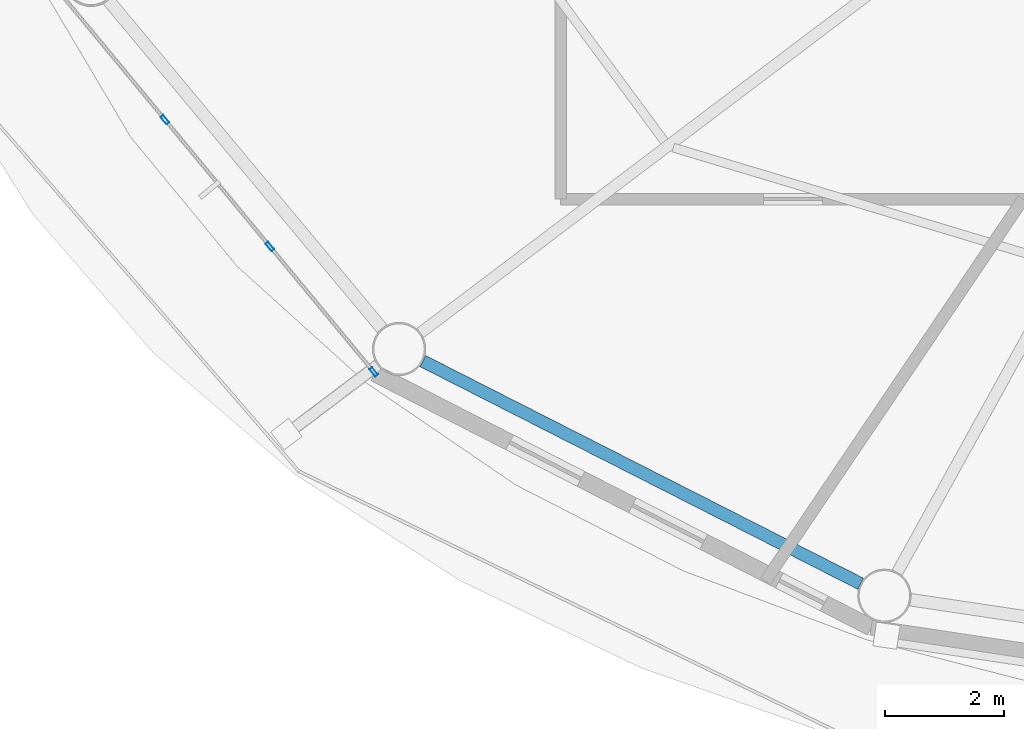
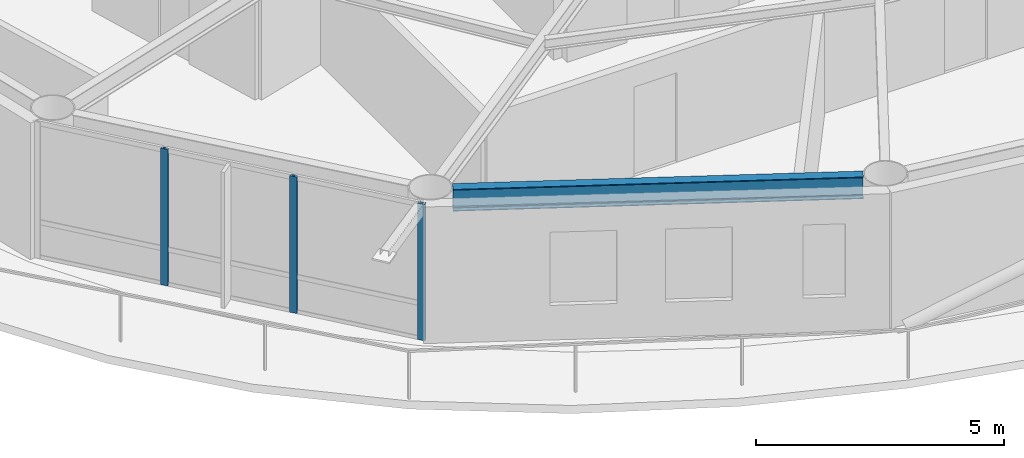
# One storey, part 2 of 23: 3 members, 1 beam, 1 element without a shape of its own.
"""IFC4 building model written with IfcOpenShell, lengths in metres."""

import ifcopenshell
import ifcopenshell.guid

model = None  # the IFC model being written
_history = None  # IfcOwnerHistory: only IFC2X3 demands one
_inside = {}  # id of a spatial element -> (the spatial element, [elements in it])
_under = {}  # id of a project, library or spatial element -> (it, [spatial elements below it])
_declared = {}  # id of a project -> (the project, [libraries it declares])
_typed = {}  # id of a type object -> (the type object, [elements of that type])
_made_of = {}  # id of a material, layer set ... -> (it, [elements and type objects made of it])


def new_model(schema):
    """Start an empty IFC model of exactly this schema.

    Asked for "IFC4X3", IfcOpenShell would pick the latest addendum, in which some entities
    have other attributes; the version numbers below select the first issue.
    IFC2X3 requires an IfcOwnerHistory on every rooted entity: one is made here for all.
    """
    global model, _history
    if schema == "IFC4X3":
        model = ifcopenshell.file(schema_version=(4, 3, 0, 0))
    else:
        model = ifcopenshell.file(schema=schema)
    _inside.clear()
    _under.clear()
    _declared.clear()
    _typed.clear()
    _made_of.clear()
    _history = None
    if model.schema == "IFC2X3":
        org = make("IfcOrganization", Name="unknown")
        user = make(
            "IfcPersonAndOrganization",
            ThePerson=make("IfcPerson", FamilyName="unknown"),
            TheOrganization=org,
        )
        app = make(
            "IfcApplication",
            ApplicationDeveloper=org,
            Version="unknown",
            ApplicationFullName="unknown",
            ApplicationIdentifier="unknown",
        )
        _history = make(
            "IfcOwnerHistory",
            OwningUser=user,
            OwningApplication=app,
            ChangeAction="ADDED",
            CreationDate=0,
        )
    return model


def make(cls, **values):
    """One entity of the class cls with the attributes given. An attribute that is None is left unset."""
    return model.create_entity(
        cls, **{name: value for name, value in values.items() if value is not None}
    )


def rooted(cls, **values):
    """An entity with a GlobalId (a new one), such as an element, a storey or a relation."""
    return make(cls, GlobalId=ifcopenshell.guid.new(), OwnerHistory=_history, **values)


def si_unit(unit_type, name, prefix=None):
    """IfcSIUnit, for example si_unit("LENGTHUNIT", "METRE", prefix="MILLI")."""
    return make("IfcSIUnit", UnitType=unit_type, Prefix=prefix, Name=name)


def assignment(units):
    """IfcUnitAssignment: the units of a project."""
    return None if units is None else make("IfcUnitAssignment", Units=units)


def point(xyz):
    """IfcCartesianPoint."""
    return None if xyz is None else make("IfcCartesianPoint", Coordinates=xyz)


def direction(xyz):
    """IfcDirection."""
    return None if xyz is None else make("IfcDirection", DirectionRatios=xyz)


def frame(location, z_axis=None, x_axis=None):
    """IfcAxis2Placement3D, a coordinate frame: its origin and axes. An axis left out is left unset."""
    return make(
        "IfcAxis2Placement3D",
        Location=point(location),
        Axis=direction(z_axis),
        RefDirection=direction(x_axis),
    )


def frame_2d(location, x_axis=None):
    """IfcAxis2Placement2D, a coordinate frame in the plane: its origin and x axis."""
    return make(
        "IfcAxis2Placement2D", Location=point(location), RefDirection=direction(x_axis)
    )


def origin():
    """The frame at (0, 0, 0) with its axes left unset."""
    return frame((0.0, 0.0, 0.0))


def origin_2d():
    """The frame at (0, 0) in the plane with its x axis left unset."""
    return frame_2d((0.0, 0.0))


def place(relative_to, where):
    """IfcLocalPlacement: puts the frame where relative to a parent placement (None: the world)."""
    return make(
        "IfcLocalPlacement", PlacementRelTo=relative_to, RelativePlacement=where
    )


def context(
    kind, dimensions, precision=None, world=None, true_north=None, identifier=None
):
    """IfcGeometricRepresentationContext, for example the 3D "Model" context."""
    return make(
        "IfcGeometricRepresentationContext",
        ContextIdentifier=identifier,
        ContextType=kind,
        CoordinateSpaceDimension=dimensions,
        Precision=precision,
        WorldCoordinateSystem=world,
        TrueNorth=true_north,
    )


def subcontext(parent, identifier, kind, view, scale=None):
    """IfcGeometricRepresentationSubContext, for example "Body" below "Model"."""
    return make(
        "IfcGeometricRepresentationSubContext",
        ContextIdentifier=identifier,
        ContextType=kind,
        ParentContext=parent,
        TargetScale=scale,
        TargetView=view,
    )


def project(units=None, contexts=None):
    """IfcProject with its units and contexts."""
    return rooted(
        "IfcProject",
        Name="project",
        RepresentationContexts=contexts,
        UnitsInContext=assignment(units),
    )


def spatial(cls, under=None, at=None, **own):
    """A site, building, storey or space (cls), placed at a placement, below another one or the project."""
    s = rooted(cls, ObjectPlacement=at, **own)
    if under is not None:
        _under.setdefault(under.id(), (under, []))[1].append(s)
    return s


def profile(cls, at=None, kind="AREA", **sizes):
    """A parametric profile (cls). Its sizes go by their IFC names, for example OverallWidth=200.0."""
    return make(cls, ProfileType=kind, Position=at, **sizes)


def hollow_rectangle(**sizes):
    """IfcRectangleHollowProfileDef."""
    return profile("IfcRectangleHollowProfileDef", **sizes)


def i_section(**sizes):
    """IfcIShapeProfileDef."""
    return profile("IfcIShapeProfileDef", **sizes)


def extrude(swept, where, along, depth):
    """IfcExtrudedAreaSolid: the profile swept, set in the frame where, extruded along a direction by depth."""
    return make(
        "IfcExtrudedAreaSolid",
        SweptArea=swept,
        Position=where,
        ExtrudedDirection=direction(along),
        Depth=depth,
    )


def shape(context_of_items, identifier, shape_type, items):
    """IfcShapeRepresentation: the items that make up one representation, for example the "Body"."""
    return make(
        "IfcShapeRepresentation",
        ContextOfItems=context_of_items,
        RepresentationIdentifier=identifier,
        RepresentationType=shape_type,
        Items=items,
    )


def material(Name=None, Category=None):
    """IfcMaterial."""
    return make("IfcMaterial", Name=Name, Category=Category)


def layer(
    of_material, thickness, ventilated=None, Name=None, Category=None, Priority=None
):
    """IfcMaterialLayer: one layer of a wall or slab, of a material (None: an air gap)."""
    return make(
        "IfcMaterialLayer",
        Material=of_material,
        LayerThickness=thickness,
        IsVentilated=ventilated,
        Name=Name,
        Category=Category,
        Priority=Priority,
    )


def layer_set(layers, Name=None):
    """IfcMaterialLayerSet."""
    return make("IfcMaterialLayerSet", MaterialLayers=layers, LayerSetName=Name)


def material_profile(
    of_material, cross_section, Name=None, Category=None, Priority=None
):
    """IfcMaterialProfile: a cross section and its material."""
    return make(
        "IfcMaterialProfile",
        Name=Name,
        Material=of_material,
        Profile=cross_section,
        Priority=Priority,
        Category=Category,
    )


def profile_set(profiles, Name=None, composite=None):
    """IfcMaterialProfileSet."""
    return make(
        "IfcMaterialProfileSet",
        Name=Name,
        MaterialProfiles=profiles,
        CompositeProfile=composite,
    )


def made_of(thing, what):
    """Note that an element or type object is made of a material, layer set ...; save() writes the relation."""
    if what is not None:
        _made_of.setdefault(what.id(), (what, []))[1].append(thing)
    return thing


def type_object(cls, material=None, **own):
    """A type object (cls), such as IfcWallType, which elements share."""
    return made_of(rooted(cls, **own), material)


def element(
    cls,
    number,
    at=None,
    inside=None,
    cuts=None,
    type_object=None,
    material=None,
    context=None,
    identifier="Body",
    shape_type=None,
    held_by="IfcProductDefinitionShape",
    body=None,
    shapes=None,
    **own,
):
    """One element of the class cls, such as IfcWall. Its Tag is "e" and its number.

    at: its placement. inside: the storey or other place that contains it. cuts: it is an
    opening in that element (IfcRelVoidsElement). A single representation is given by context,
    identifier, shape_type and body (its items); several are given by shapes. held_by: the class
    of the entity that holds the representations. save() writes the other relations.
    """
    e = rooted(cls, Tag="e%d" % number, ObjectPlacement=at, **own)
    if body is not None:
        shapes = [shape(context, identifier, shape_type, body)]
    if shapes is not None:
        e.Representation = make(held_by, Representations=shapes)
    if inside is not None:
        _inside.setdefault(inside.id(), (inside, []))[1].append(e)
    if cuts is not None:
        rooted(
            "IfcRelVoidsElement", RelatingBuildingElement=cuts, RelatedOpeningElement=e
        )
    if type_object is not None:
        _typed.setdefault(type_object.id(), (type_object, []))[1].append(e)
    return made_of(e, material)


def aggregate(whole, parts):
    """IfcRelAggregates: a whole, such as a stair, and the parts it consists of."""
    return rooted("IfcRelAggregates", RelatingObject=whole, RelatedObjects=parts)


def save(model, path):
    """Write the relations noted so far, then the file.

    IfcRelAggregates (storeys below a building ...), IfcRelContainedInSpatialStructure (elements
    in a storey), IfcRelDefinesByType, IfcRelAssociatesMaterial and IfcRelDeclares: one each for
    every whole, place, type object, material and project.
    """
    for whole, parts in _under.values():
        aggregate(whole, parts)
    for where, things in _inside.values():
        rooted(
            "IfcRelContainedInSpatialStructure",
            RelatedElements=things,
            RelatingStructure=where,
        )
    for kind, things in _typed.values():
        rooted("IfcRelDefinesByType", RelatedObjects=things, RelatingType=kind)
    for what, things in _made_of.values():
        rooted("IfcRelAssociatesMaterial", RelatedObjects=things, RelatingMaterial=what)
    for by, libraries in _declared.values():
        rooted("IfcRelDeclares", RelatingContext=by, RelatedDefinitions=libraries)
    model.write(path)


model = new_model("IFC4")

# Units and contexts
model_context = context("Model", 3, precision=1e-05, world=origin(), true_north=direction((0.0, 1.0)))
body_context = subcontext(model_context, "Body", "Model", "MODEL_VIEW")
ifc_project = project(units=[si_unit("LENGTHUNIT", "METRE"), si_unit("AREAUNIT", "SQUARE_METRE"), si_unit("VOLUMEUNIT", "CUBIC_METRE"), si_unit("PLANEANGLEUNIT", "RADIAN"), si_unit("MASSUNIT", "GRAM", prefix="KILO")], contexts=[model_context])

# Site, building, storey
site_placement = place(None, origin())
site = spatial("IfcSite", under=ifc_project, at=site_placement, CompositionType="ELEMENT")
building_placement = place(site_placement, origin())
building = spatial("IfcBuilding", under=site, at=building_placement, Name="Sarneth Arch Tower", CompositionType="ELEMENT")
storey_placement = place(building_placement, frame((0.0, 0.0, 228.0)))
storey = spatial("IfcBuildingStorey", under=building, at=storey_placement, Name="L58", CompositionType="ELEMENT", Elevation=228.0)

# Beam
ifc_material_1 = material(Name="Steel S355", Category="steel")
ifc_material_profile_1 = material_profile(ifc_material_1, i_section(OverallWidth=0.2109375, OverallDepth=0.5390625, WebThickness=0.01171875, FlangeThickness=0.018798828125, FilletRadius=0.01806640625, at=origin_2d()), Name="W530x109")
ifc_profile_set_1 = profile_set([ifc_material_profile_1], Name="Steel S355")
beam_type = type_object("IfcBeamType", Name="BM-RAD-530B", PredefinedType="BEAM", material=ifc_profile_set_1)
beam_placement = place(storey_placement, frame((30.42578125, 28.219482421875, 3.090576171875), z_axis=(0.891376248079, -0.453264144138, 0.0), x_axis=(0.453264144138, 0.891376248079, 0.0)))
element("IfcBeam", 1, at=beam_placement, inside=storey, type_object=beam_type, Name="L58 Perimeter spandrel beam 11", PredefinedType="BEAM", context=body_context, shape_type="SweptSolid", body=[
    extrude(i_section(OverallWidth=0.2109375, OverallDepth=0.5390625, WebThickness=0.01171875, FlangeThickness=0.018798828125, FilletRadius=0.01806640625, at=origin_2d()), origin(), (0.0, 0.0, 1.0), 8.281982421875),
])

# Curtain wall, members
ifc_material_2 = material(Name="Anodised aluminium Type AA25 and solar-control low-e laminated IGU", Category="aluminium")
ifc_layer = layer(ifc_material_2, 0.179931640625)
ifc_layer_set = layer_set([ifc_layer], Name="Anodised aluminium Type AA25 and solar-control low-e laminated IGU")
curtain_wall_type = type_object("IfcCurtainWallType", Name="CW-RES-HIGH", PredefinedType="NOTDEFINED", material=ifc_layer_set)
curtain_wall_placement = place(storey_placement, origin())
curtain_wall = element("IfcCurtainWall", 2, at=curtain_wall_placement, inside=storey, type_object=curtain_wall_type, Name="L58 Unitised curtain wall facet 10", PredefinedType="NOTDEFINED")
ifc_material_3 = material(Name="Anodised Aluminium 6063-T6", Category="aluminium")
ifc_material_profile_2 = material_profile(ifc_material_3, hollow_rectangle(XDim=0.06005859375, YDim=0.159912109375, WallThickness=0.00390625, at=origin_2d()), Name="AL-MULL-160x60x4")
ifc_profile_set_2 = profile_set([ifc_material_profile_2], Name="Anodised Aluminium 6063-T6")
member_type = type_object("IfcMemberType", Name="CW-MULLION", PredefinedType="MULLION", material=ifc_profile_set_2)
member_1_placement = place(storey_placement, frame((26.07666015625, 32.29150390625, 0.0), z_axis=(0.0, 0.0, 1.0), x_axis=(0.770359245933, 0.637610094184, 0.0)))
member_1 = element("IfcMember", 3, at=member_1_placement, type_object=member_type, Name="CW-SYS-6 mullion 2", PredefinedType="MULLION", context=body_context, shape_type="SweptSolid", body=[
    extrude(hollow_rectangle(XDim=0.06005859375, YDim=0.159912109375, WallThickness=0.00390625, at=origin_2d()), origin(), (0.0, 0.0, 1.0), 3.360107421875),
])
member_2_placement = place(storey_placement, frame((27.84716796875, 30.15234375, 0.0), z_axis=(0.0, 0.0, 1.0), x_axis=(0.770359245933, 0.637610094184, 0.0)))
member_2 = element("IfcMember", 4, at=member_2_placement, type_object=member_type, Name="CW-SYS-6 mullion 3", PredefinedType="MULLION", context=body_context, shape_type="SweptSolid", body=[
    extrude(hollow_rectangle(XDim=0.06005859375, YDim=0.159912109375, WallThickness=0.00390625, at=origin_2d()), origin(), (0.0, 0.0, 1.0), 3.360107421875),
])
member_3_placement = place(storey_placement, frame((29.598388671875, 28.03662109375, 0.0), z_axis=(0.0, 0.0, 1.0), x_axis=(0.770359245933, 0.637610094184, 0.0)))
member_3 = element("IfcMember", 5, at=member_3_placement, type_object=member_type, Name="CW-SYS-6 mullion 4", PredefinedType="MULLION", context=body_context, shape_type="SweptSolid", body=[
    extrude(hollow_rectangle(XDim=0.06005859375, YDim=0.159912109375, WallThickness=0.00390625, at=origin_2d()), origin(), (0.0, 0.0, 1.0), 3.360107421875),
])
aggregate(curtain_wall, [member_1, member_2, member_3])

save(model, "model.ifc")
